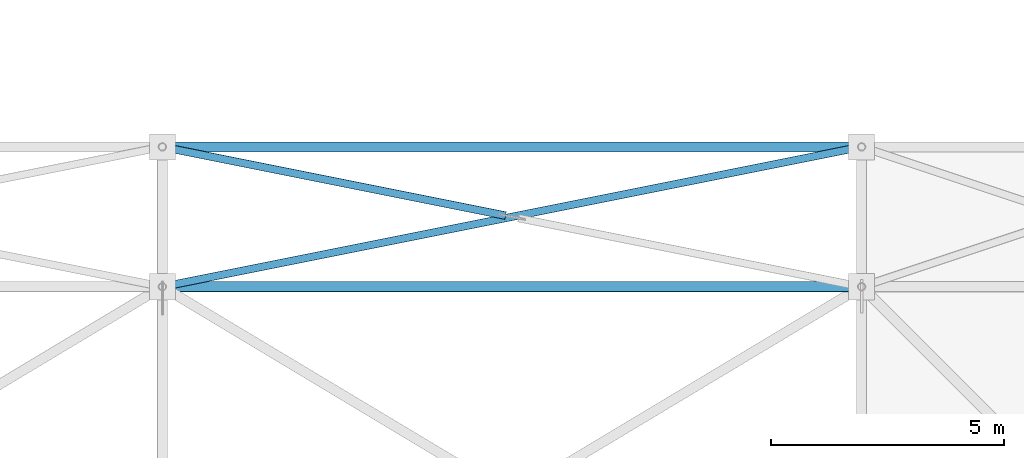
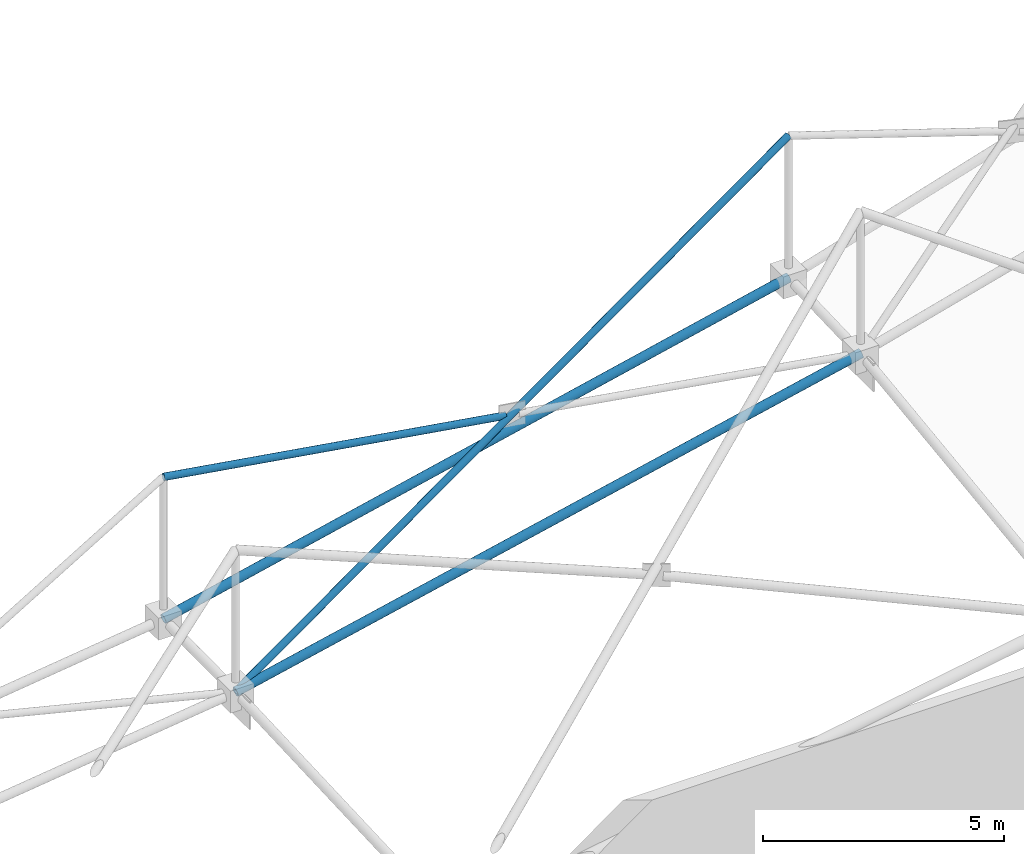
# One storey, part 120 of 224: 4 members.
"""IFC4 building model written with IfcOpenShell, lengths in metres."""

from ifc_helpers import new_model, si_unit, direction, frame, origin, origin_2d, place, context, subcontext, project, spatial, hollow_circle, extrude, material, material_profile, profile_set, type_object, element, save


model = new_model("IFC4")

# Units and contexts
model_context = context("Model", 3, precision=1e-05, world=origin(), true_north=direction((0.0, 1.0)))
body_context = subcontext(model_context, "Body", "Model", "MODEL_VIEW")
ifc_project = project(units=[si_unit("LENGTHUNIT", "METRE"), si_unit("AREAUNIT", "SQUARE_METRE"), si_unit("VOLUMEUNIT", "CUBIC_METRE"), si_unit("PLANEANGLEUNIT", "RADIAN"), si_unit("MASSUNIT", "GRAM", prefix="KILO")], contexts=[model_context])

# Site, building, storey
site_placement = place(None, origin())
site = spatial("IfcSite", under=ifc_project, at=site_placement, CompositionType="ELEMENT")
building_placement = place(site_placement, origin())
building = spatial("IfcBuilding", under=site, at=building_placement, Name="Qamarlyn Nura Convention Centre", CompositionType="ELEMENT")
storey_placement = place(building_placement, frame((0.0, 0.0, 10.800048828125)))
storey = spatial("IfcBuildingStorey", under=building, at=storey_placement, Name="L02", CompositionType="ELEMENT", Elevation=10.800048828125)

# Members
ifc_material = material(Name="Pearl-white PVDF steel ASTM A500 Grade C", Category="steel")
ifc_material_profile_1 = material_profile(ifc_material, hollow_circle(Radius=0.109619140625, WallThickness=0.010009765625, at=origin_2d()), Name="CHS219.1X10")
ifc_profile_set_1 = profile_set([ifc_material_profile_1], Name="Pearl-white PVDF steel ASTM A500 Grade C")
member_type_1 = type_object("IfcMemberType", Name="SF-BC-EAVE", PredefinedType="CHORD", material=ifc_profile_set_1)
member_1_placement = place(storey_placement, frame((105.0, 112.0, 3.170654296875), z_axis=(0.976164624712, 0.0, 0.217031392799), x_axis=(0.0, 1.0, 0.0)))
element("IfcMember", 1, at=member_1_placement, inside=storey, type_object=member_type_1, Name="ROOF TRUSS space frame bottom chord X9-8", PredefinedType="CHORD", context=body_context, shape_type="SweptSolid", body=[
    extrude(hollow_circle(Radius=0.109619140625, WallThickness=0.010009765625, at=origin_2d()), origin(), (0.0, 0.0, 1.0), 15.3662109375),
])
member_2_placement = place(storey_placement, frame((105.0, 115.0, 3.199951171875), z_axis=(0.975155613559, 0.0, 0.221520945613), x_axis=(0.0, 1.0, 0.0)))
element("IfcMember", 2, at=member_2_placement, inside=storey, type_object=member_type_1, Name="ROOF TRUSS space frame bottom chord X9-9", PredefinedType="CHORD", context=body_context, shape_type="SweptSolid", body=[
    extrude(hollow_circle(Radius=0.109619140625, WallThickness=0.010009765625, at=origin_2d()), origin(), (0.0, 0.0, 1.0), 15.382080078125),
])
ifc_material_profile_2 = material_profile(ifc_material, hollow_circle(Radius=0.084228515625, WallThickness=0.008056640625, at=origin_2d()), Name="CHS168.3X8")
ifc_profile_set_2 = profile_set([ifc_material_profile_2], Name="Pearl-white PVDF steel ASTM A500 Grade C")
member_type_2 = type_object("IfcMemberType", Name="SF-WEB-STD", PredefinedType="BRACE", material=ifc_profile_set_2)
member_3_placement = place(storey_placement, frame((105.0, 112.0, 3.170654296875), z_axis=(0.890848753165, 0.178169750633, 0.417904341858), x_axis=(-0.196116135138, 0.980580675691, 0.0)))
element("IfcMember", 3, at=member_3_placement, inside=storey, type_object=member_type_2, Name="ROOF TRUSS space frame diagonal A 9-8", PredefinedType="BRACE", context=body_context, shape_type="SweptSolid", body=[
    extrude(hollow_circle(Radius=0.084228515625, WallThickness=0.008056640625, at=origin_2d()), origin(), (0.0, 0.0, 1.0), 16.837890625),
])
member_4_placement = place(storey_placement, frame((112.36279296875, 113.527587890625, 6.673583984375), z_axis=(-0.980445372094, 0.196069568244, 0.016840331015), x_axis=(-0.196097376505, -0.980584427231, 0.0)))
element("IfcMember", 4, at=member_4_placement, inside=storey, type_object=member_type_2, Name="ROOF TRUSS space frame split diagonal B2 9-8", PredefinedType="BRACE", context=body_context, shape_type="SweptSolid", body=[
    extrude(hollow_circle(Radius=0.084228515625, WallThickness=0.008056640625, at=origin_2d()), origin(), (0.0, 0.0, 1.0), 7.509521484375),
])

save(model, "model.ifc")
